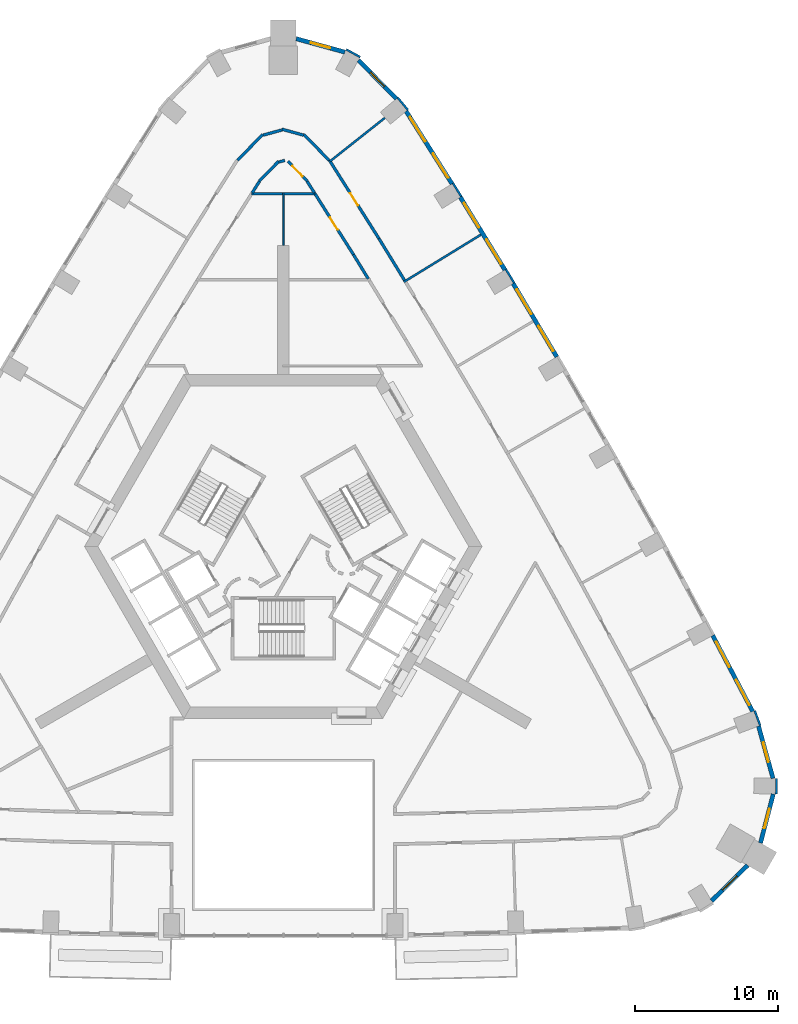
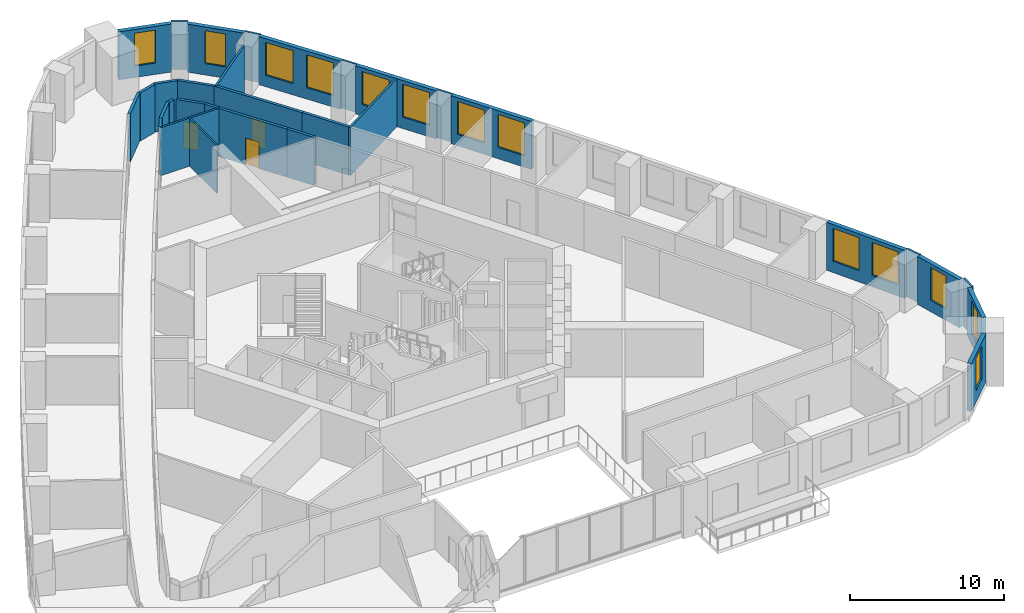
# One storey, part 10 of 12: 33 walls, 13 windows, 3 doors, 16 openings.
"""IFC4 building model written with IfcOpenShell, lengths in metres."""

from ifc_helpers import new_model, si_unit, direction, frame, frame_2d, origin, place, context, subcontext, project, spatial, rectangle, extrude, material, layer, layer_set, type_object, element, fill, save


model = new_model("IFC4")

# Units and contexts
model_context = context("Model", 3, precision=1e-05, world=origin(), true_north=direction((0.0, 1.0)))
body_context = subcontext(model_context, "Body", "Model", "MODEL_VIEW")
ifc_project = project(units=[si_unit("LENGTHUNIT", "METRE"), si_unit("AREAUNIT", "SQUARE_METRE"), si_unit("VOLUMEUNIT", "CUBIC_METRE"), si_unit("PLANEANGLEUNIT", "RADIAN"), si_unit("MASSUNIT", "GRAM", prefix="KILO")], contexts=[model_context])

# Site, building, storey
site_placement = place(None, origin())
site = spatial("IfcSite", under=ifc_project, at=site_placement, CompositionType="ELEMENT")
building_placement = place(site_placement, origin())
building = spatial("IfcBuilding", under=site, at=building_placement, Name="Entoto Arch Interchange Tower", CompositionType="ELEMENT")
storey_placement = place(building_placement, frame((0.0, 0.0, 155.0)))
storey = spatial("IfcBuildingStorey", under=building, at=storey_placement, Name="L34", CompositionType="ELEMENT", Elevation=155.0)

# Walls
ifc_material_1 = material(Name="Gypsum board partition on steel studs", Category="steel")
ifc_layer_1 = layer(ifc_material_1, 0.10009765625)
ifc_layer_set_1 = layer_set([ifc_layer_1], Name="Gypsum board partition on steel studs")
wall_type_1 = type_object("IfcWallType", Name="PARTITION 100", PredefinedType="PARTITIONING", material=ifc_layer_set_1)
wall_1_placement = place(storey_placement, frame((0.0, 23.5, 0.0), z_axis=(0.0, 0.0, 1.0), x_axis=(0.0, 1.0, 0.0)))
element("IfcWall", 1, at=wall_1_placement, inside=storey, type_object=wall_type_1, Name="wall:L34:p115", PredefinedType="PARTITIONING", context=body_context, shape_type="SweptSolid", body=[
    extrude(rectangle(XDim=3.675048828125, YDim=0.10009765625, at=frame_2d((1.83740234375, 0.0))), origin(), (0.0, 0.0, 1.0), 3.800048828125),
])
ifc_layer_2 = layer(ifc_material_1, 0.14990234375)
ifc_layer_set_2 = layer_set([ifc_layer_2], Name="Gypsum board partition on steel studs")
wall_type_2 = type_object("IfcWallType", Name="PARTITION 150", PredefinedType="PARTITIONING", material=ifc_layer_set_2)
for number, where, z_axis, x_axis, name in (
    (2, (0.050048828125, 27.10009765625, 0.0), (0.0, 0.0, 1.0), (1.0, 0.0, 0.0), "wall:L34:p116"),
    (3, (-2.2080078125, 27.10009765625, 0.0), (0.0, 0.0, 1.0), (1.0, 0.0, 0.0), "wall:L34:p117"),
):
    element("IfcWall", number, at=place(storey_placement, frame(where, z_axis=z_axis, x_axis=x_axis)), inside=storey, type_object=wall_type_2, Name=name, PredefinedType="PARTITIONING", context=body_context, shape_type="SweptSolid", body=[
        extrude(rectangle(XDim=2.157958984375, YDim=0.14990234375, at=frame_2d((1.0791015625, 0.0))), origin(), (0.0, 0.0, 1.0), 3.800048828125),
    ])
wall_2_placement = place(storey_placement, frame((8.406005859375, 20.947021484375, 0.0), z_axis=(0.0, 0.0, 1.0), x_axis=(0.852529956042, 0.522678365777, 0.0)))
element("IfcWall", 4, at=wall_2_placement, inside=storey, type_object=wall_type_2, Name="wall:L34:p130", PredefinedType="PARTITIONING", context=body_context, shape_type="SweptSolid", body=[
    extrude(rectangle(XDim=6.30029296875, YDim=0.14990234375, at=frame_2d((3.150146484375, 0.0))), origin(), (0.0, 0.0, 1.0), 3.800048828125),
])
wall_3_placement = place(storey_placement, frame((3.261962890625, 29.362060546875, 0.0), z_axis=(0.0, 0.0, 1.0), x_axis=(0.78403972141, 0.620710653406, 0.0)))
element("IfcWall", 5, at=wall_3_placement, inside=storey, type_object=wall_type_2, Name="wall:L34:p131", PredefinedType="PARTITIONING", context=body_context, shape_type="SweptSolid", body=[
    extrude(rectangle(XDim=4.866943359375, YDim=0.14990234375, at=frame_2d((2.43359375, 0.0))), origin(), (0.0, 0.0, 1.0), 3.800048828125),
])
ifc_layer_3 = layer(ifc_material_1, 0.199951171875)
ifc_layer_set_3 = layer_set([ifc_layer_3], Name="Gypsum board partition on steel studs")
wall_type_3 = type_object("IfcWallType", Name="PARTITION 200", PredefinedType="PARTITIONING", material=ifc_layer_set_3)
wall_4_placement = place(storey_placement, frame((5.927001953125, 21.1640625, 0.0), z_axis=(0.0, 0.0, 1.0), x_axis=(-0.522754838565, 0.852483066552, 0.0)))
element("IfcWall", 6, at=wall_4_placement, inside=storey, type_object=wall_type_3, Name="wall:L34:p011", PredefinedType="PARTITIONING", context=body_context, shape_type="SweptSolid", body=[
    extrude(rectangle(XDim=1.989501953125, YDim=0.199951171875, at=frame_2d((0.99462890625, 0.0))), origin(), (0.0, 0.0, 1.0), 3.800048828125),
])

# Wall, opening, door
wall_5_placement = place(storey_placement, frame((4.886962890625, 22.860107421875, 0.0), z_axis=(0.0, 0.0, 1.0), x_axis=(-0.534315942524, 0.845284847589, 0.0)))
wall_5 = element("IfcWall", 7, at=wall_5_placement, inside=storey, type_object=wall_type_3, Name="wall:L34:p012", PredefinedType="PARTITIONING", context=body_context, shape_type="SweptSolid", body=[
    extrude(rectangle(XDim=5.090576171875, YDim=0.199951171875, at=frame_2d((2.54541015625, 0.0))), origin(), (0.0, 0.0, 1.0), 3.800048828125),
])
opening_1_placement = place(wall_5_placement, frame((2.044921875, 0.0, 0.0)))
opening_1 = element("IfcOpeningElement", 8, at=opening_1_placement, cuts=wall_5, Name="Opening L34-D21", PredefinedType="OPENING", context=body_context, shape_type="SweptSolid", body=[
    extrude(rectangle(XDim=1.0, YDim=2.10009765625, at=frame_2d((0.5, 1.050048828125))), frame((0.0, 0.10986328125, 0.0), z_axis=(0.0, -1.0, 0.0), x_axis=(1.0, 0.0, 0.0)), (0.0, 0.0, 1.0), 0.219970703125),
])
ifc_material_2 = material(Name="Timber door leaf in Steel S235 frame", Category="steel")
door_type = type_object("IfcDoorType", Name="DOOR DS-10 1000x2100", OperationType="SINGLE_SWING_LEFT", PredefinedType="DOOR", material=ifc_material_2)
door_1_placement = place(opening_1_placement, origin())
door_1 = element("IfcDoor", 9, at=door_1_placement, inside=storey, type_object=door_type, Name="door:L34:21", OperationType="SINGLE_SWING_LEFT", OverallHeight=2.10009765625, OverallWidth=1.0, PredefinedType="DOOR", context=body_context, shape_type="SweptSolid", body=[
    extrude(rectangle(XDim=1.0, YDim=2.10009765625, at=frame_2d((0.5, 1.050048828125))), frame((0.0, 0.02490234375, 0.0), z_axis=(0.0, -1.0, 0.0), x_axis=(1.0, 0.0, 0.0)), (0.0, 0.0, 1.0), 0.050048828125),
])
fill(opening_1, door_1)

# Wall
wall_6_placement = place(storey_placement, frame((2.1669921875, 27.1630859375, 0.0), z_axis=(0.0, 0.0, 1.0), x_axis=(-0.533944629884, 0.845519445204, 0.0)))
element("IfcWall", 10, at=wall_6_placement, inside=storey, type_object=wall_type_3, Name="wall:L34:p015", PredefinedType="PARTITIONING", context=body_context, shape_type="SweptSolid", body=[
    extrude(rectangle(XDim=0.94970703125, YDim=0.199951171875, at=frame_2d((0.474853515625, 0.0))), origin(), (0.0, 0.0, 1.0), 3.800048828125),
])

# Wall, opening, door
wall_7_placement = place(storey_placement, frame((1.677001953125, 27.97900390625, 0.0), z_axis=(0.0, 0.0, 1.0), x_axis=(-0.700357727804, 0.713792023705, 0.0)))
wall_7 = element("IfcWall", 11, at=wall_7_placement, inside=storey, type_object=wall_type_3, Name="wall:L34:p016", PredefinedType="PARTITIONING", context=body_context, shape_type="SweptSolid", body=[
    extrude(rectangle(XDim=1.92626953125, YDim=0.199951171875, at=frame_2d((0.963134765625, 0.0))), origin(), (0.0, 0.0, 1.0), 3.800048828125),
])
opening_2_placement = place(wall_7_placement, frame((0.462890625, 0.0, 0.0)))
opening_2 = element("IfcOpeningElement", 12, at=opening_2_placement, cuts=wall_7, Name="Opening L34-D23", PredefinedType="OPENING", context=body_context, shape_type="SweptSolid", body=[
    extrude(rectangle(XDim=1.0, YDim=2.10009765625, at=frame_2d((0.5, 1.050048828125))), frame((0.0, 0.10986328125, 0.0), z_axis=(0.0, -1.0, 0.0), x_axis=(1.0, 0.0, 0.0)), (0.0, 0.0, 1.0), 0.219970703125),
])
door_2_placement = place(opening_2_placement, origin())
door_2 = element("IfcDoor", 13, at=door_2_placement, inside=storey, type_object=door_type, Name="door:L34:23", OperationType="SINGLE_SWING_LEFT", OverallHeight=2.10009765625, OverallWidth=1.0, PredefinedType="DOOR", context=body_context, shape_type="SweptSolid", body=[
    extrude(rectangle(XDim=1.0, YDim=2.10009765625, at=frame_2d((0.5, 1.050048828125))), frame((0.0, 0.02490234375, 0.0), z_axis=(0.0, -1.0, 0.0), x_axis=(1.0, 0.0, 0.0)), (0.0, 0.0, 1.0), 0.050048828125),
])
fill(opening_2, door_2)

# Walls
wall_8_placement = place(storey_placement, frame((0.095947265625, 29.4189453125, 0.0), z_axis=(0.0, 0.0, 1.0), x_axis=(-0.963940323387, -0.266118494187, 0.0)))
element("IfcWall", 14, at=wall_8_placement, inside=storey, type_object=wall_type_3, Name="wall:L34:p017", PredefinedType="PARTITIONING", context=body_context, shape_type="SweptSolid", body=[
    extrude(rectangle(XDim=0.412841796875, YDim=0.199951171875, at=frame_2d((0.20654296875, 0.0))), origin(), (0.0, 0.0, 1.0), 3.800048828125),
])
wall_9_placement = place(storey_placement, frame((-0.327880859375, 29.35400390625, 0.0), z_axis=(0.0, 0.0, 1.0), x_axis=(-0.700357727804, -0.713792023705, 0.0)))
element("IfcWall", 15, at=wall_9_placement, inside=storey, type_object=wall_type_3, Name="wall:L34:p018", PredefinedType="PARTITIONING", context=body_context, shape_type="SweptSolid", body=[
    extrude(rectangle(XDim=1.92626953125, YDim=0.199951171875, at=frame_2d((0.963134765625, 0.0))), origin(), (0.0, 0.0, 1.0), 3.800048828125),
])
wall_10_placement = place(storey_placement, frame((-1.659912109375, 27.966064453125, 0.0), z_axis=(0.0, 0.0, 1.0), x_axis=(-0.533944629884, -0.845519445204, 0.0)))
element("IfcWall", 16, at=wall_10_placement, inside=storey, type_object=wall_type_3, Name="wall:L34:p019", PredefinedType="PARTITIONING", context=body_context, shape_type="SweptSolid", body=[
    extrude(rectangle(XDim=0.94970703125, YDim=0.199951171875, at=frame_2d((0.474853515625, 0.0))), origin(), (0.0, 0.0, 1.0), 3.800048828125),
])

# Wall, opening, door
wall_11_placement = place(storey_placement, frame((3.208984375, 29.446044921875, 0.0), z_axis=(0.0, 0.0, 1.0), x_axis=(0.534253865926, -0.845324083854, 0.0)))
wall_11 = element("IfcWall", 17, at=wall_11_placement, inside=storey, type_object=wall_type_3, Name="wall:L34:p054", PredefinedType="PARTITIONING", context=body_context, shape_type="SweptSolid", body=[
    extrude(rectangle(XDim=6.47802734375, YDim=0.199951171875, at=frame_2d((3.239013671875, 0.0))), origin(), (0.0, 0.0, 1.0), 3.800048828125),
])
opening_3_placement = place(wall_11_placement, frame((2.739013671875, 0.0, 0.0)))
opening_3 = element("IfcOpeningElement", 18, at=opening_3_placement, cuts=wall_11, Name="Opening L34-D09", PredefinedType="OPENING", context=body_context, shape_type="SweptSolid", body=[
    extrude(rectangle(XDim=1.0, YDim=2.10009765625, at=frame_2d((0.5, 1.050048828125))), frame((0.0, 0.10986328125, 0.0), z_axis=(0.0, -1.0, 0.0), x_axis=(1.0, 0.0, 0.0)), (0.0, 0.0, 1.0), 0.219970703125),
])
door_3_placement = place(opening_3_placement, origin())
door_3 = element("IfcDoor", 19, at=door_3_placement, inside=storey, type_object=door_type, Name="door:L34:09", OperationType="SINGLE_SWING_LEFT", OverallHeight=2.10009765625, OverallWidth=1.0, PredefinedType="DOOR", context=body_context, shape_type="SweptSolid", body=[
    extrude(rectangle(XDim=1.0, YDim=2.10009765625, at=frame_2d((0.5, 1.050048828125))), frame((0.0, 0.02490234375, 0.0), z_axis=(0.0, -1.0, 0.0), x_axis=(1.0, 0.0, 0.0)), (0.0, 0.0, 1.0), 0.050048828125),
])
fill(opening_3, door_3)

# Walls
wall_12_placement = place(storey_placement, frame((6.669921875, 23.969970703125, 0.0), z_axis=(0.0, 0.0, 1.0), x_axis=(0.522622501212, -0.85256420358, 0.0)))
element("IfcWall", 20, at=wall_12_placement, inside=storey, type_object=wall_type_3, Name="wall:L34:p055", PredefinedType="PARTITIONING", context=body_context, shape_type="SweptSolid", body=[
    extrude(rectangle(XDim=3.40966796875, YDim=0.199951171875, at=frame_2d((1.704833984375, 0.0))), origin(), (0.0, 0.0, 1.0), 3.800048828125),
])
wall_13_placement = place(storey_placement, frame((-3.19189453125, 29.43310546875, 0.0), z_axis=(0.0, 0.0, 1.0), x_axis=(0.700326668838, 0.713822496783, 0.0)))
element("IfcWall", 21, at=wall_13_placement, inside=storey, type_object=wall_type_3, Name="wall:L34:p057", PredefinedType="PARTITIONING", context=body_context, shape_type="SweptSolid", body=[
    extrude(rectangle(XDim=2.514404296875, YDim=0.199951171875, at=frame_2d((1.25732421875, 0.0))), origin(), (0.0, 0.0, 1.0), 3.800048828125),
])
wall_14_placement = place(storey_placement, frame((-1.404052734375, 31.18310546875, 0.0), z_axis=(0.0, 0.0, 1.0), x_axis=(0.963995798992, 0.265917467508, 0.0)))
element("IfcWall", 22, at=wall_14_placement, inside=storey, type_object=wall_type_3, Name="wall:L34:p058", PredefinedType="PARTITIONING", context=body_context, shape_type="SweptSolid", body=[
    extrude(rectangle(XDim=1.35693359375, YDim=0.199951171875, at=frame_2d((0.678466796875, 0.0))), origin(), (0.0, 0.0, 1.0), 3.800048828125),
])
wall_15_placement = place(storey_placement, frame((-0.095947265625, 31.596923828125, 0.0), z_axis=(0.0, 0.0, 1.0), x_axis=(0.963988457226, -0.265944081217, 0.0)))
element("IfcWall", 23, at=wall_15_placement, inside=storey, type_object=wall_type_3, Name="wall:L34:p059", PredefinedType="PARTITIONING", context=body_context, shape_type="SweptSolid", body=[
    extrude(rectangle(XDim=1.55615234375, YDim=0.199951171875, at=frame_2d((0.778076171875, 0.0))), origin(), (0.0, 0.0, 1.0), 3.800048828125),
])
wall_16_placement = place(storey_placement, frame((1.430908203125, 31.22802734375, 0.0), z_axis=(0.0, 0.0, 1.0), x_axis=(0.700326668838, -0.713822496783, 0.0)))
element("IfcWall", 24, at=wall_16_placement, inside=storey, type_object=wall_type_3, Name="wall:L34:p060", PredefinedType="PARTITIONING", context=body_context, shape_type="SweptSolid", body=[
    extrude(rectangle(XDim=2.514404296875, YDim=0.199951171875, at=frame_2d((1.25732421875, 0.0))), origin(), (0.0, 0.0, 1.0), 3.800048828125),
])

# Wall, opening, window
ifc_material_3 = material(Name="Welded tuff (ignimbrite) cladding, warm buff", Category="masonry")
ifc_layer_4 = layer(ifc_material_3, 0.300048828125)
ifc_layer_set_4 = layer_set([ifc_layer_4], Name="Welded tuff (ignimbrite) cladding, warm buff")
wall_type_4 = type_object("IfcWallType", Name="STONE INFILL WALL 300", PredefinedType="STANDARD", material=ifc_layer_set_4)
wall_17_placement = place(storey_placement, frame((29.8720703125, -22.20703125, 0.0), z_axis=(0.0, 0.0, 1.0), x_axis=(0.712043314899, 0.702135540838, 0.0)))
wall_17 = element("IfcWall", 25, at=wall_17_placement, inside=storey, type_object=wall_type_4, Name="Facade wall SE-02 L34", PredefinedType="STANDARD", context=body_context, shape_type="SweptSolid", body=[
    extrude(rectangle(XDim=3.523681640625, YDim=0.300048828125, at=frame_2d((1.76171875, 0.0))), origin(), (0.0, 0.0, 1.0), 3.800048828125),
])
opening_4_placement = place(wall_17_placement, frame((1.06201171875, 0.0, 0.89990234375)))
opening_4 = element("IfcOpeningElement", 26, at=opening_4_placement, cuts=wall_17, Name="Opening WO-B", PredefinedType="OPENING", context=body_context, shape_type="SweptSolid", body=[
    extrude(rectangle(XDim=1.39990234375, YDim=2.60009765625, at=frame_2d((0.699951171875, 1.300048828125))), frame((0.0, 0.16015625, 0.0), z_axis=(0.0, -1.0, 0.0), x_axis=(1.0, 0.0, 0.0)), (0.0, 0.0, 1.0), 0.320068359375),
])
ifc_material_4 = material(Name="Clear glass, low-e double glazed", Category="glass")
window_type_1 = type_object("IfcWindowType", Name="WINDOW WO-B 1400x2600", PartitioningType="DOUBLE_PANEL_VERTICAL", PredefinedType="WINDOW", material=ifc_material_4)
window_1_placement = place(opening_4_placement, origin())
window_1 = element("IfcWindow", 27, at=window_1_placement, inside=storey, type_object=window_type_1, Name="Window WO-B SE-02 L34", OverallHeight=2.60009765625, OverallWidth=1.39990234375, PartitioningType="SINGLE_PANEL", PredefinedType="WINDOW", context=body_context, shape_type="SweptSolid", body=[
    extrude(rectangle(XDim=1.39990234375, YDim=2.60009765625, at=frame_2d((0.699951171875, 1.300048828125))), frame((0.0, 0.030029296875, 0.0), z_axis=(0.0, -1.0, 0.0), x_axis=(1.0, 0.0, 0.0)), (0.0, 0.0, 1.0), 0.06005859375),
])
fill(opening_4, window_1)

wall_18_placement = place(storey_placement, frame((33.280029296875, -18.176025390625, 0.0), z_axis=(0.0, 0.0, 1.0), x_axis=(0.252255494168, 0.967660666588, 0.0)))
wall_18 = element("IfcWall", 28, at=wall_18_placement, inside=storey, type_object=wall_type_4, Name="Facade wall SE-03 L34", PredefinedType="STANDARD", context=body_context, shape_type="SweptSolid", body=[
    extrude(rectangle(XDim=3.52392578125, YDim=0.300048828125, at=frame_2d((1.761962890625, 0.0))), origin(), (0.0, 0.0, 1.0), 3.800048828125),
])
opening_5_placement = place(wall_18_placement, frame((1.06201171875, 0.0, 0.89990234375)))
opening_5 = element("IfcOpeningElement", 29, at=opening_5_placement, cuts=wall_18, Name="Opening WO-B", PredefinedType="OPENING", context=body_context, shape_type="SweptSolid", body=[
    extrude(rectangle(XDim=1.39990234375, YDim=2.60009765625, at=frame_2d((0.699951171875, 1.300048828125))), frame((0.0, 0.16015625, 0.0), z_axis=(0.0, -1.0, 0.0), x_axis=(1.0, 0.0, 0.0)), (0.0, 0.0, 1.0), 0.320068359375),
])
window_2_placement = place(opening_5_placement, origin())
window_2 = element("IfcWindow", 30, at=window_2_placement, inside=storey, type_object=window_type_1, Name="Window WO-B SE-03 L34", OverallHeight=2.60009765625, OverallWidth=1.39990234375, PartitioningType="SINGLE_PANEL", PredefinedType="WINDOW", context=body_context, shape_type="SweptSolid", body=[
    extrude(rectangle(XDim=1.39990234375, YDim=2.60009765625, at=frame_2d((0.699951171875, 1.300048828125))), frame((0.0, 0.030029296875, 0.0), z_axis=(0.0, -1.0, 0.0), x_axis=(1.0, 0.0, 0.0)), (0.0, 0.0, 1.0), 0.06005859375),
])
fill(opening_5, window_2)

wall_19_placement = place(storey_placement, frame((34.154052734375, -13.6669921875, 0.0), z_axis=(0.0, 0.0, 1.0), x_axis=(-0.26799398221, 0.963420585985, 0.0)))
wall_19 = element("IfcWall", 31, at=wall_19_placement, inside=storey, type_object=wall_type_4, Name="Facade wall SE-04 L34", PredefinedType="STANDARD", context=body_context, shape_type="SweptSolid", body=[
    extrude(rectangle(XDim=3.776123046875, YDim=0.300048828125, at=frame_2d((1.88818359375, 0.0))), origin(), (0.0, 0.0, 1.0), 3.800048828125),
])
opening_6_placement = place(wall_19_placement, frame((1.18798828125, 0.0, 0.89990234375)))
opening_6 = element("IfcOpeningElement", 32, at=opening_6_placement, cuts=wall_19, Name="Opening WO-B", PredefinedType="OPENING", context=body_context, shape_type="SweptSolid", body=[
    extrude(rectangle(XDim=1.39990234375, YDim=2.60009765625, at=frame_2d((0.699951171875, 1.300048828125))), frame((0.0, 0.16015625, 0.0), z_axis=(0.0, -1.0, 0.0), x_axis=(1.0, 0.0, 0.0)), (0.0, 0.0, 1.0), 0.320068359375),
])
window_3_placement = place(opening_6_placement, origin())
window_3 = element("IfcWindow", 33, at=window_3_placement, inside=storey, type_object=window_type_1, Name="Window WO-B SE-04 L34", OverallHeight=2.60009765625, OverallWidth=1.39990234375, PartitioningType="SINGLE_PANEL", PredefinedType="WINDOW", context=body_context, shape_type="SweptSolid", body=[
    extrude(rectangle(XDim=1.39990234375, YDim=2.60009765625, at=frame_2d((0.699951171875, 1.300048828125))), frame((0.0, 0.030029296875, 0.0), z_axis=(0.0, -1.0, 0.0), x_axis=(1.0, 0.0, 0.0)), (0.0, 0.0, 1.0), 0.06005859375),
])
fill(opening_6, window_3)

# Wall, openings, windows
wall_20_placement = place(storey_placement, frame((32.737060546875, -9.008056640625, 0.0), z_axis=(0.0, 0.0, 1.0), x_axis=(-0.465104650407, 0.885255705528, 0.0)))
wall_20 = element("IfcWall", 34, at=wall_20_placement, inside=storey, type_object=wall_type_4, Name="Facade wall NE-01 L34", PredefinedType="STANDARD", context=body_context, shape_type="SweptSolid", body=[
    extrude(rectangle(XDim=5.990234375, YDim=0.300048828125, at=frame_2d((2.9951171875, 0.0))), origin(), (0.0, 0.0, 1.0), 3.800048828125),
])
opening_7_placement = place(wall_20_placement, frame((0.498046875, 0.0, 0.89990234375)))
opening_7 = element("IfcOpeningElement", 35, at=opening_7_placement, cuts=wall_20, Name="Opening WO-C", PredefinedType="OPENING", context=body_context, shape_type="SweptSolid", body=[
    extrude(rectangle(XDim=2.0, YDim=2.60009765625, at=frame_2d((1.0, 1.300048828125))), frame((0.0, 0.16015625, 0.0), z_axis=(0.0, -1.0, 0.0), x_axis=(1.0, 0.0, 0.0)), (0.0, 0.0, 1.0), 0.320068359375),
])
opening_8_placement = place(wall_20_placement, frame((3.492919921875, 0.0, 0.89990234375)))
opening_8 = element("IfcOpeningElement", 36, at=opening_8_placement, cuts=wall_20, Name="Opening WO-C", PredefinedType="OPENING", context=body_context, shape_type="SweptSolid", body=[
    extrude(rectangle(XDim=2.0, YDim=2.60009765625, at=frame_2d((1.0, 1.300048828125))), frame((0.0, 0.16015625, 0.0), z_axis=(0.0, -1.0, 0.0), x_axis=(1.0, 0.0, 0.0)), (0.0, 0.0, 1.0), 0.320068359375),
])
window_type_2 = type_object("IfcWindowType", Name="WINDOW WO-C 2000x2600", PartitioningType="DOUBLE_PANEL_VERTICAL", PredefinedType="WINDOW", material=ifc_material_4)
window_4_placement = place(opening_7_placement, origin())
window_4 = element("IfcWindow", 37, at=window_4_placement, inside=storey, type_object=window_type_2, Name="Window WO-C NE-01 L34", OverallHeight=2.60009765625, OverallWidth=2.0, PartitioningType="SINGLE_PANEL", PredefinedType="WINDOW", context=body_context, shape_type="SweptSolid", body=[
    extrude(rectangle(XDim=2.0, YDim=2.60009765625, at=frame_2d((1.0, 1.300048828125))), frame((0.0, 0.030029296875, 0.0), z_axis=(0.0, -1.0, 0.0), x_axis=(1.0, 0.0, 0.0)), (0.0, 0.0, 1.0), 0.06005859375),
])
fill(opening_7, window_4)
window_5_placement = place(opening_8_placement, origin())
window_5 = element("IfcWindow", 38, at=window_5_placement, inside=storey, type_object=window_type_2, Name="Window WO-C NE-01 L34", OverallHeight=2.60009765625, OverallWidth=2.0, PartitioningType="SINGLE_PANEL", PredefinedType="WINDOW", context=body_context, shape_type="SweptSolid", body=[
    extrude(rectangle(XDim=2.0, YDim=2.60009765625, at=frame_2d((1.0, 1.300048828125))), frame((0.0, 0.030029296875, 0.0), z_axis=(0.0, -1.0, 0.0), x_axis=(1.0, 0.0, 0.0)), (0.0, 0.0, 1.0), 0.06005859375),
])
fill(opening_8, window_5)

wall_21_placement = place(storey_placement, frame((19.075927734375, 15.720947265625, 0.0), z_axis=(0.0, 0.0, 1.0), x_axis=(-0.511455040009, 0.859310038374, 0.0)))
wall_21 = element("IfcWall", 39, at=wall_21_placement, inside=storey, type_object=wall_type_4, Name="Facade wall NE-05 L34", PredefinedType="STANDARD", context=body_context, shape_type="SweptSolid", body=[
    extrude(rectangle(XDim=5.957275390625, YDim=0.300048828125, at=frame_2d((2.978515625, 0.0))), origin(), (0.0, 0.0, 1.0), 3.800048828125),
])
opening_9_placement = place(wall_21_placement, frame((0.489013671875, 0.0, 0.89990234375)))
opening_9 = element("IfcOpeningElement", 40, at=opening_9_placement, cuts=wall_21, Name="Opening WO-C", PredefinedType="OPENING", context=body_context, shape_type="SweptSolid", body=[
    extrude(rectangle(XDim=2.0, YDim=2.60009765625, at=frame_2d((1.0, 1.300048828125))), frame((0.0, 0.16015625, 0.0), z_axis=(0.0, -1.0, 0.0), x_axis=(1.0, 0.0, 0.0)), (0.0, 0.0, 1.0), 0.320068359375),
])
opening_10_placement = place(wall_21_placement, frame((3.468017578125, 0.0, 0.89990234375)))
opening_10 = element("IfcOpeningElement", 41, at=opening_10_placement, cuts=wall_21, Name="Opening WO-C", PredefinedType="OPENING", context=body_context, shape_type="SweptSolid", body=[
    extrude(rectangle(XDim=2.0, YDim=2.60009765625, at=frame_2d((1.0, 1.300048828125))), frame((0.0, 0.16015625, 0.0), z_axis=(0.0, -1.0, 0.0), x_axis=(1.0, 0.0, 0.0)), (0.0, 0.0, 1.0), 0.320068359375),
])
window_6_placement = place(opening_9_placement, origin())
window_6 = element("IfcWindow", 42, at=window_6_placement, inside=storey, type_object=window_type_2, Name="Window WO-C NE-05 L34", OverallHeight=2.60009765625, OverallWidth=2.0, PartitioningType="SINGLE_PANEL", PredefinedType="WINDOW", context=body_context, shape_type="SweptSolid", body=[
    extrude(rectangle(XDim=2.0, YDim=2.60009765625, at=frame_2d((1.0, 1.300048828125))), frame((0.0, 0.030029296875, 0.0), z_axis=(0.0, -1.0, 0.0), x_axis=(1.0, 0.0, 0.0)), (0.0, 0.0, 1.0), 0.06005859375),
])
fill(opening_9, window_6)
window_7_placement = place(opening_10_placement, origin())
window_7 = element("IfcWindow", 43, at=window_7_placement, inside=storey, type_object=window_type_2, Name="Window WO-C NE-05 L34", OverallHeight=2.60009765625, OverallWidth=2.0, PartitioningType="SINGLE_PANEL", PredefinedType="WINDOW", context=body_context, shape_type="SweptSolid", body=[
    extrude(rectangle(XDim=2.0, YDim=2.60009765625, at=frame_2d((1.0, 1.300048828125))), frame((0.0, 0.030029296875, 0.0), z_axis=(0.0, -1.0, 0.0), x_axis=(1.0, 0.0, 0.0)), (0.0, 0.0, 1.0), 0.06005859375),
])
fill(opening_10, window_7)

wall_22_placement = place(storey_placement, frame((15.4619140625, 21.779052734375, 0.0), z_axis=(0.0, 0.0, 1.0), x_axis=(-0.522704272908, 0.852514072074, 0.0)))
wall_22 = element("IfcWall", 44, at=wall_22_placement, inside=storey, type_object=wall_type_4, Name="Facade wall NE-06 L34", PredefinedType="STANDARD", context=body_context, shape_type="SweptSolid", body=[
    extrude(rectangle(XDim=5.95751953125, YDim=0.300048828125, at=frame_2d((2.978759765625, 0.0))), origin(), (0.0, 0.0, 1.0), 3.800048828125),
])
opening_11_placement = place(wall_22_placement, frame((0.489013671875, 0.0, 0.89990234375)))
opening_11 = element("IfcOpeningElement", 45, at=opening_11_placement, cuts=wall_22, Name="Opening WO-C", PredefinedType="OPENING", context=body_context, shape_type="SweptSolid", body=[
    extrude(rectangle(XDim=2.0, YDim=2.60009765625, at=frame_2d((1.0, 1.300048828125))), frame((0.0, 0.16015625, 0.0), z_axis=(0.0, -1.0, 0.0), x_axis=(1.0, 0.0, 0.0)), (0.0, 0.0, 1.0), 0.320068359375),
])
opening_12_placement = place(wall_22_placement, frame((3.468017578125, 0.0, 0.89990234375)))
opening_12 = element("IfcOpeningElement", 46, at=opening_12_placement, cuts=wall_22, Name="Opening WO-C", PredefinedType="OPENING", context=body_context, shape_type="SweptSolid", body=[
    extrude(rectangle(XDim=2.0, YDim=2.60009765625, at=frame_2d((1.0, 1.300048828125))), frame((0.0, 0.16015625, 0.0), z_axis=(0.0, -1.0, 0.0), x_axis=(1.0, 0.0, 0.0)), (0.0, 0.0, 1.0), 0.320068359375),
])
window_8_placement = place(opening_11_placement, origin())
window_8 = element("IfcWindow", 47, at=window_8_placement, inside=storey, type_object=window_type_2, Name="Window WO-C NE-06 L34", OverallHeight=2.60009765625, OverallWidth=2.0, PartitioningType="SINGLE_PANEL", PredefinedType="WINDOW", context=body_context, shape_type="SweptSolid", body=[
    extrude(rectangle(XDim=2.0, YDim=2.60009765625, at=frame_2d((1.0, 1.300048828125))), frame((0.0, 0.030029296875, 0.0), z_axis=(0.0, -1.0, 0.0), x_axis=(1.0, 0.0, 0.0)), (0.0, 0.0, 1.0), 0.06005859375),
])
fill(opening_11, window_8)
window_9_placement = place(opening_12_placement, origin())
window_9 = element("IfcWindow", 48, at=window_9_placement, inside=storey, type_object=window_type_2, Name="Window WO-C NE-06 L34", OverallHeight=2.60009765625, OverallWidth=2.0, PartitioningType="SINGLE_PANEL", PredefinedType="WINDOW", context=body_context, shape_type="SweptSolid", body=[
    extrude(rectangle(XDim=2.0, YDim=2.60009765625, at=frame_2d((1.0, 1.300048828125))), frame((0.0, 0.030029296875, 0.0), z_axis=(0.0, -1.0, 0.0), x_axis=(1.0, 0.0, 0.0)), (0.0, 0.0, 1.0), 0.06005859375),
])
fill(opening_12, window_9)

wall_23_placement = place(storey_placement, frame((11.76708984375, 27.7900390625, 0.0), z_axis=(0.0, 0.0, 1.0), x_axis=(-0.534262775953, 0.845318452556, 0.0)))
wall_23 = element("IfcWall", 49, at=wall_23_placement, inside=storey, type_object=wall_type_4, Name="Facade wall NE-07 L34", PredefinedType="STANDARD", context=body_context, shape_type="SweptSolid", body=[
    extrude(rectangle(XDim=5.99169921875, YDim=0.300048828125, at=frame_2d((2.995849609375, 0.0))), origin(), (0.0, 0.0, 1.0), 3.800048828125),
])
opening_13_placement = place(wall_23_placement, frame((0.498046875, 0.0, 0.89990234375)))
opening_13 = element("IfcOpeningElement", 50, at=opening_13_placement, cuts=wall_23, Name="Opening WO-C", PredefinedType="OPENING", context=body_context, shape_type="SweptSolid", body=[
    extrude(rectangle(XDim=2.0, YDim=2.60009765625, at=frame_2d((1.0, 1.300048828125))), frame((0.0, 0.16015625, 0.0), z_axis=(0.0, -1.0, 0.0), x_axis=(1.0, 0.0, 0.0)), (0.0, 0.0, 1.0), 0.320068359375),
])
opening_14_placement = place(wall_23_placement, frame((3.493896484375, 0.0, 0.89990234375)))
opening_14 = element("IfcOpeningElement", 51, at=opening_14_placement, cuts=wall_23, Name="Opening WO-C", PredefinedType="OPENING", context=body_context, shape_type="SweptSolid", body=[
    extrude(rectangle(XDim=2.0, YDim=2.60009765625, at=frame_2d((1.0, 1.300048828125))), frame((0.0, 0.16015625, 0.0), z_axis=(0.0, -1.0, 0.0), x_axis=(1.0, 0.0, 0.0)), (0.0, 0.0, 1.0), 0.320068359375),
])
window_10_placement = place(opening_13_placement, origin())
window_10 = element("IfcWindow", 52, at=window_10_placement, inside=storey, type_object=window_type_2, Name="Window WO-C NE-07 L34", OverallHeight=2.60009765625, OverallWidth=2.0, PartitioningType="SINGLE_PANEL", PredefinedType="WINDOW", context=body_context, shape_type="SweptSolid", body=[
    extrude(rectangle(XDim=2.0, YDim=2.60009765625, at=frame_2d((1.0, 1.300048828125))), frame((0.0, 0.030029296875, 0.0), z_axis=(0.0, -1.0, 0.0), x_axis=(1.0, 0.0, 0.0)), (0.0, 0.0, 1.0), 0.06005859375),
])
fill(opening_13, window_10)
window_11_placement = place(opening_14_placement, origin())
window_11 = element("IfcWindow", 53, at=window_11_placement, inside=storey, type_object=window_type_2, Name="Window WO-C NE-07 L34", OverallHeight=2.60009765625, OverallWidth=2.0, PartitioningType="SINGLE_PANEL", PredefinedType="WINDOW", context=body_context, shape_type="SweptSolid", body=[
    extrude(rectangle(XDim=2.0, YDim=2.60009765625, at=frame_2d((1.0, 1.300048828125))), frame((0.0, 0.030029296875, 0.0), z_axis=(0.0, -1.0, 0.0), x_axis=(1.0, 0.0, 0.0)), (0.0, 0.0, 1.0), 0.06005859375),
])
fill(opening_14, window_11)

# Wall, opening, window
wall_24_placement = place(storey_placement, frame((7.885009765625, 33.717041015625, 0.0), z_axis=(0.0, 0.0, 1.0), x_axis=(-0.7003170466, 0.713831936973, 0.0)))
wall_24 = element("IfcWall", 54, at=wall_24_placement, inside=storey, type_object=wall_type_4, Name="Facade wall N-01 L34", PredefinedType="STANDARD", context=body_context, shape_type="SweptSolid", body=[
    extrude(rectangle(XDim=3.775390625, YDim=0.300048828125, at=frame_2d((1.8876953125, 0.0))), origin(), (0.0, 0.0, 1.0), 3.800048828125),
])
opening_15_placement = place(wall_24_placement, frame((1.18798828125, 0.0, 0.89990234375)))
opening_15 = element("IfcOpeningElement", 55, at=opening_15_placement, cuts=wall_24, Name="Opening WO-B", PredefinedType="OPENING", context=body_context, shape_type="SweptSolid", body=[
    extrude(rectangle(XDim=1.39990234375, YDim=2.60009765625, at=frame_2d((0.699951171875, 1.300048828125))), frame((0.0, 0.16015625, 0.0), z_axis=(0.0, -1.0, 0.0), x_axis=(1.0, 0.0, 0.0)), (0.0, 0.0, 1.0), 0.320068359375),
])
window_12_placement = place(opening_15_placement, origin())
window_12 = element("IfcWindow", 56, at=window_12_placement, inside=storey, type_object=window_type_1, Name="Window WO-B N-01 L34", OverallHeight=2.60009765625, OverallWidth=1.39990234375, PartitioningType="SINGLE_PANEL", PredefinedType="WINDOW", context=body_context, shape_type="SweptSolid", body=[
    extrude(rectangle(XDim=1.39990234375, YDim=2.60009765625, at=frame_2d((0.699951171875, 1.300048828125))), frame((0.0, 0.030029296875, 0.0), z_axis=(0.0, -1.0, 0.0), x_axis=(1.0, 0.0, 0.0)), (0.0, 0.0, 1.0), 0.06005859375),
])
fill(opening_15, window_12)

wall_25_placement = place(storey_placement, frame((4.2958984375, 36.972900390625, 0.0), z_axis=(0.0, 0.0, 1.0), x_axis=(-0.964069751151, 0.265649232853, 0.0)))
wall_25 = element("IfcWall", 57, at=wall_25_placement, inside=storey, type_object=wall_type_4, Name="Facade wall N-02 L34", PredefinedType="STANDARD", context=body_context, shape_type="SweptSolid", body=[
    extrude(rectangle(XDim=3.523681640625, YDim=0.300048828125, at=frame_2d((1.76171875, 0.0))), origin(), (0.0, 0.0, 1.0), 3.800048828125),
])
opening_16_placement = place(wall_25_placement, frame((1.06201171875, 0.0, 0.89990234375)))
opening_16 = element("IfcOpeningElement", 58, at=opening_16_placement, cuts=wall_25, Name="Opening WO-B", PredefinedType="OPENING", context=body_context, shape_type="SweptSolid", body=[
    extrude(rectangle(XDim=1.39990234375, YDim=2.60009765625, at=frame_2d((0.699951171875, 1.300048828125))), frame((0.0, 0.16015625, 0.0), z_axis=(0.0, -1.0, 0.0), x_axis=(1.0, 0.0, 0.0)), (0.0, 0.0, 1.0), 0.320068359375),
])
window_13_placement = place(opening_16_placement, origin())
window_13 = element("IfcWindow", 59, at=window_13_placement, inside=storey, type_object=window_type_1, Name="Window WO-B N-02 L34", OverallHeight=2.60009765625, OverallWidth=1.39990234375, PartitioningType="SINGLE_PANEL", PredefinedType="WINDOW", context=body_context, shape_type="SweptSolid", body=[
    extrude(rectangle(XDim=1.39990234375, YDim=2.60009765625, at=frame_2d((0.699951171875, 1.300048828125))), frame((0.0, 0.030029296875, 0.0), z_axis=(0.0, -1.0, 0.0), x_axis=(1.0, 0.0, 0.0)), (0.0, 0.0, 1.0), 0.06005859375),
])
fill(opening_16, window_13)

# Walls
ifc_layer_5 = layer(ifc_material_3, 0.14990234375)
ifc_layer_set_5 = layer_set([ifc_layer_5], Name="Welded tuff (ignimbrite) cladding, warm buff")
wall_type_5 = type_object("IfcWallType", Name="STONE PIER CLADDING 150", PredefinedType="STANDARD", material=ifc_layer_set_5)
wall_26_placement = place(storey_placement, frame((5.361083984375, 36.6298828125, 0.0), z_axis=(0.0, 0.0, 1.0), x_axis=(-0.877836219403, 0.478960929414, 0.0)))
element("IfcWall", 60, at=wall_26_placement, inside=storey, type_object=wall_type_5, Name="Stone pier N1 L34", PredefinedType="STANDARD", context=body_context, shape_type="SweptSolid", body=[
    extrude(rectangle(XDim=1.1005859375, YDim=0.14990234375, at=frame_2d((0.55029296875, 0.0))), origin(), (0.0, 0.0, 1.0), 3.800048828125),
])
wall_27_placement = place(storey_placement, frame((33.256103515625, -9.988037109375, 0.0), z_axis=(0.0, 0.0, 1.0), x_axis=(-0.346425160624, 0.93807761304, 0.0)))
element("IfcWall", 61, at=wall_27_placement, inside=storey, type_object=wall_type_5, Name="Stone pier NE01 L34", PredefinedType="STANDARD", context=body_context, shape_type="SweptSolid", body=[
    extrude(rectangle(XDim=1.10009765625, YDim=0.14990234375, at=frame_2d((0.550048828125, 0.0))), origin(), (0.0, 0.0, 1.0), 3.800048828125),
])
for number, where, z_axis, x_axis, name in (
    (62, (16.097900390625, 20.8798828125, 0.0), (0.0, 0.0, 1.0), (-0.517918067967, 0.85543022794, 0.0), "Stone pier NE06 L34"),
    (63, (12.416015625, 26.89892578125, 0.0), (0.0, 0.0, 1.0), (-0.529879262372, 0.848073090782, 0.0), "Stone pier NE07 L34"),
):
    element("IfcWall", number, at=place(storey_placement, frame(where, z_axis=z_axis, x_axis=x_axis)), inside=storey, type_object=wall_type_5, Name=name, PredefinedType="STANDARD", context=body_context, shape_type="SweptSolid", body=[
        extrude(rectangle(XDim=1.100341796875, YDim=0.14990234375, at=frame_2d((0.55029296875, 0.0))), origin(), (0.0, 0.0, 1.0), 3.800048828125),
    ])
wall_28_placement = place(storey_placement, frame((8.680908203125, 32.948974609375, 0.0), z_axis=(0.0, 0.0, 1.0), x_axis=(-0.639070205934, 0.769148406933, 0.0)))
element("IfcWall", 64, at=wall_28_placement, inside=storey, type_object=wall_type_5, Name="Stone pier NE08 L34", PredefinedType="STANDARD", context=body_context, shape_type="SweptSolid", body=[
    extrude(rectangle(XDim=1.099853515625, YDim=0.14990234375, at=frame_2d((0.5498046875, 0.0))), origin(), (0.0, 0.0, 1.0), 3.800048828125),
])
wall_29_placement = place(storey_placement, frame((34.376953125, -14.77197265625, 0.0), z_axis=(0.0, 0.0, 1.0), x_axis=(0.023744690764, 0.999718055084, 0.0)))
element("IfcWall", 65, at=wall_29_placement, inside=storey, type_object=wall_type_5, Name="Stone pier SE3 L34", PredefinedType="STANDARD", context=body_context, shape_type="SweptSolid", body=[
    extrude(rectangle(XDim=1.10009765625, YDim=0.14990234375, at=frame_2d((0.550048828125, 0.0))), origin(), (0.0, 0.0, 1.0), 3.800048828125),
])

save(model, "model.ifc")
